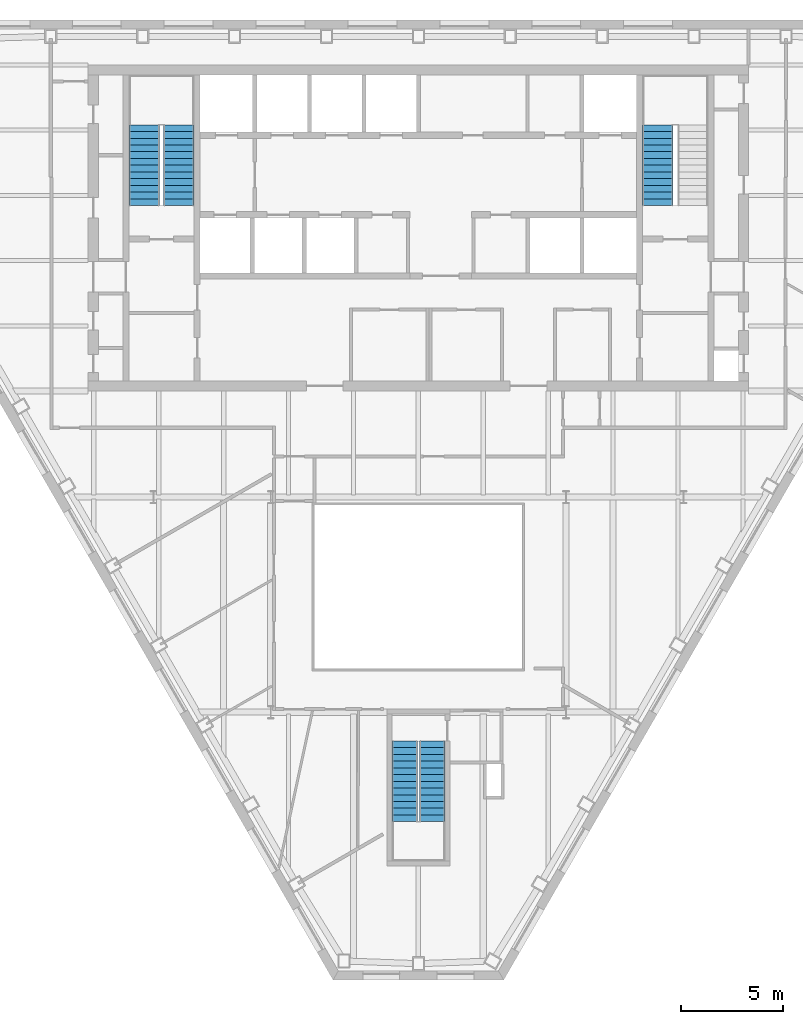
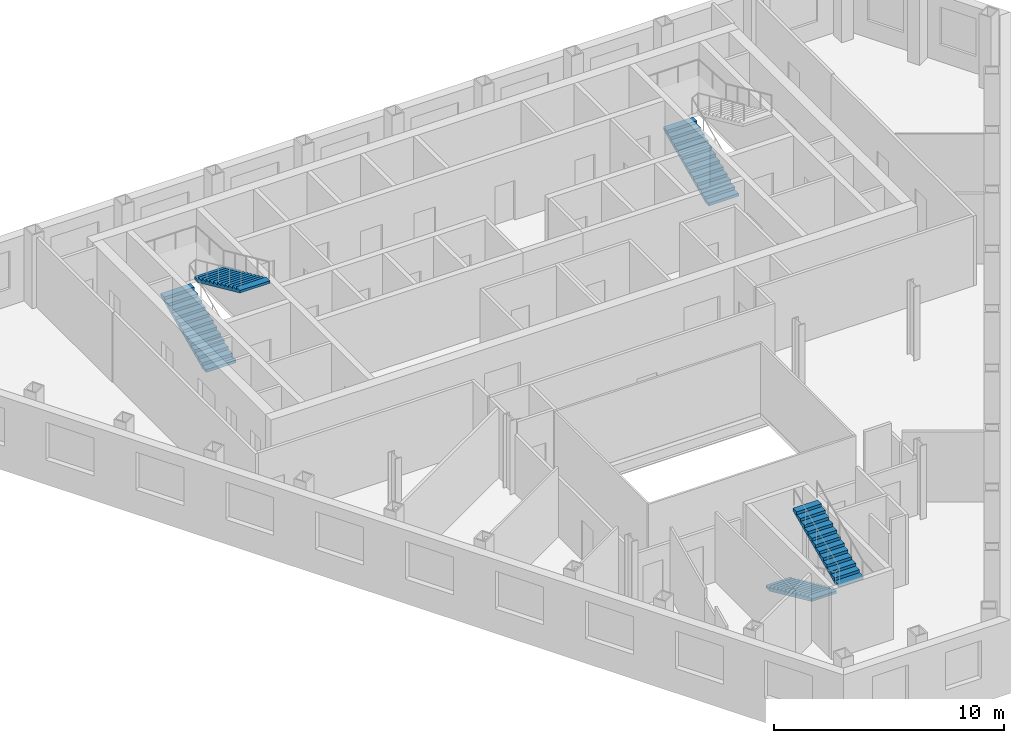
# One storey, part 8 of 10: 5 stair flights, 3 elements without a shape of their own.
"""IFC4 building model written with IfcOpenShell, lengths in metres."""

from ifc_helpers import new_model, si_unit, direction, frame, origin, place, context, subcontext, project, spatial, polygons, material, type_object, element, aggregate, save


model = new_model("IFC4")

# Units and contexts
model_context = context("Model", 3, precision=1e-05, world=origin(), true_north=direction((0.0, 1.0)))
body_context = subcontext(model_context, "Body", "Model", "MODEL_VIEW")
ifc_project = project(units=[si_unit("LENGTHUNIT", "METRE"), si_unit("AREAUNIT", "SQUARE_METRE"), si_unit("VOLUMEUNIT", "CUBIC_METRE"), si_unit("PLANEANGLEUNIT", "RADIAN"), si_unit("MASSUNIT", "GRAM", prefix="KILO")], contexts=[model_context])

# Site, building, storey
site_placement = place(None, origin())
site = spatial("IfcSite", under=ifc_project, at=site_placement, CompositionType="ELEMENT")
building_placement = place(site_placement, origin())
building = spatial("IfcBuilding", under=site, at=building_placement, Name="Njiva Tower", CompositionType="ELEMENT")
storey_placement = place(building_placement, frame((0.0, 0.0, 167.1)))
storey = spatial("IfcBuildingStorey", under=building, at=storey_placement, Name="L36", CompositionType="ELEMENT", Elevation=167.1)

# Stair, stair flights
ifc_material = material(Name="Concrete C40/50", Category="concrete")
stair_type_1 = type_object("IfcStairType", Name="ST1 Exit stair 1250", PredefinedType="HALF_TURN_STAIR", material=ifc_material)
stair_1_placement = place(storey_placement, origin())
stair_1 = element("IfcStair", 1, at=stair_1_placement, inside=storey, type_object=stair_type_1, Name="Stair C", PredefinedType="HALF_TURN_STAIR")
stair_flight_type_1 = type_object("IfcStairFlightType", Name="FL1 Stair flight 1250", PredefinedType="STRAIGHT", material=ifc_material)
stair_flight_1_placement = place(storey_placement, frame((-0.675, -15.16, 0.0), z_axis=(0.0, 0.0, 1.0), x_axis=(0.0, -1.0, 0.0)))
stair_flight_1 = element("IfcStairFlight", 2, at=stair_flight_1_placement, type_object=stair_flight_type_1, Name="ST-C flight 1", NumberOfRisers=13, NumberOfTreads=12, PredefinedType="STRAIGHT", RiserHeight=0.15, TreadLength=0.33, context=body_context, shape_type="Tessellation", body=[
    polygons([(0.0, 0.625, 0.0), (0.0, 0.3125, 0.0), (0.0, 0.0, 0.0), (0.0, -0.3125, 0.0), (0.0, -0.625, 0.0), (0.0, 0.625, 0.15), (0.0, 0.3125, 0.15), (0.0, 0.0, 0.15), (0.0, -0.3125, 0.15), (0.0, -0.625, 0.15), (0.33, 0.625, 0.15), (0.33, 0.3125, 0.15), (0.33, 0.0, 0.15), (0.33, -0.3125, 0.15), (0.33, -0.625, 0.15), (0.33, 0.625, 0.3), (0.33, 0.3125, 0.3), (0.33, 0.0, 0.3), (0.33, -0.3125, 0.3), (0.33, -0.625, 0.3), (0.66, 0.625, 0.3), (0.66, 0.3125, 0.3), (0.66, 0.0, 0.3), (0.66, -0.3125, 0.3), (0.66, -0.625, 0.3), (0.66, 0.625, 0.45), (0.66, 0.3125, 0.45), (0.66, 0.0, 0.45), (0.66, -0.3125, 0.45), (0.66, -0.625, 0.45), (0.99, 0.625, 0.45), (0.99, 0.3125, 0.45), (0.99, 0.0, 0.45), (0.99, -0.3125, 0.45), (0.99, -0.625, 0.45), (0.99, 0.625, 0.6), (0.99, 0.3125, 0.6), (0.99, 0.0, 0.6), (0.99, -0.3125, 0.6), (0.99, -0.625, 0.6), (1.32, 0.625, 0.6), (1.32, 0.3125, 0.6), (1.32, 0.0, 0.6), (1.32, -0.3125, 0.6), (1.32, -0.625, 0.6), (1.32, 0.625, 0.75), (1.32, 0.3125, 0.75), (1.32, 0.0, 0.75), (1.32, -0.3125, 0.75), (1.32, -0.625, 0.75), (1.65, 0.625, 0.75), (1.65, 0.3125, 0.75), (1.65, 0.0, 0.75), (1.65, -0.3125, 0.75), (1.65, -0.625, 0.75), (1.65, 0.625, 0.9), (1.65, 0.3125, 0.9), (1.65, 0.0, 0.9), (1.65, -0.3125, 0.9), (1.65, -0.625, 0.9), (1.98, 0.625, 0.9), (1.98, 0.3125, 0.9), (1.98, 0.0, 0.9), (1.98, -0.3125, 0.9), (1.98, -0.625, 0.9), (1.98, 0.625, 1.05), (1.98, 0.3125, 1.05), (1.98, 0.0, 1.05), (1.98, -0.3125, 1.05), (1.98, -0.625, 1.05), (2.31, 0.625, 1.05), (2.31, 0.3125, 1.05), (2.31, 0.0, 1.05), (2.31, -0.3125, 1.05), (2.31, -0.625, 1.05), (2.31, 0.625, 1.2), (2.31, 0.3125, 1.2), (2.31, 0.0, 1.2), (2.31, -0.3125, 1.2), (2.31, -0.625, 1.2), (2.64, 0.625, 1.2), (2.64, 0.3125, 1.2), (2.64, 0.0, 1.2), (2.64, -0.3125, 1.2), (2.64, -0.625, 1.2), (2.64, 0.625, 1.35), (2.64, 0.3125, 1.35), (2.64, 0.0, 1.35), (2.64, -0.3125, 1.35), (2.64, -0.625, 1.35), (2.97, 0.625, 1.35), (2.97, 0.3125, 1.35), (2.97, 0.0, 1.35), (2.97, -0.3125, 1.35), (2.97, -0.625, 1.35), (2.97, 0.625, 1.5), (2.97, 0.3125, 1.5), (2.97, 0.0, 1.5), (2.97, -0.3125, 1.5), (2.97, -0.625, 1.5), (3.3, 0.625, 1.5), (3.3, 0.3125, 1.5), (3.3, 0.0, 1.5), (3.3, -0.3125, 1.5), (3.3, -0.625, 1.5), (3.3, 0.625, 1.65), (3.3, 0.3125, 1.65), (3.3, 0.0, 1.65), (3.3, -0.3125, 1.65), (3.3, -0.625, 1.65), (3.63, 0.625, 1.65), (3.63, 0.3125, 1.65), (3.63, 0.0, 1.65), (3.63, -0.3125, 1.65), (3.63, -0.625, 1.65), (3.63, 0.625, 1.8), (3.63, 0.3125, 1.8), (3.63, 0.0, 1.8), (3.63, -0.3125, 1.8), (3.63, -0.625, 1.8), (3.96, 0.625, 1.8), (3.96, 0.3125, 1.8), (3.96, 0.0, 1.8), (3.96, -0.3125, 1.8), (3.96, -0.625, 1.8), (3.96, 0.625, 1.6682), (3.96, 0.3125, 1.6682), (3.96, 0.0, 1.6682), (3.96, -0.3125, 1.6682), (3.96, -0.625, 1.6682), (0.29, 0.625, 0.0), (0.29, 0.3125, 0.0), (0.29, 0.0, 0.0), (0.29, -0.3125, 0.0), (0.29, -0.625, 0.0)], [[[1, 6, 11, 16, 21, 26, 31, 36, 41, 46, 51, 56, 61, 66, 71, 76, 81, 86, 91, 96, 101, 106, 111, 116, 121, 126, 131]], [[135, 130, 125, 120, 115, 110, 105, 100, 95, 90, 85, 80, 75, 70, 65, 60, 55, 50, 45, 40, 35, 30, 25, 20, 15, 10, 5]], [[6, 1, 2, 7]], [[7, 2, 3, 8]], [[8, 3, 4, 9]], [[9, 4, 5, 10]], [[11, 6, 7, 12]], [[12, 7, 8, 13]], [[13, 8, 9, 14]], [[14, 9, 10, 15]], [[16, 11, 12, 17]], [[17, 12, 13, 18]], [[18, 13, 14, 19]], [[19, 14, 15, 20]], [[21, 16, 17, 22]], [[22, 17, 18, 23]], [[23, 18, 19, 24]], [[24, 19, 20, 25]], [[26, 21, 22, 27]], [[27, 22, 23, 28]], [[28, 23, 24, 29]], [[29, 24, 25, 30]], [[31, 26, 27, 32]], [[32, 27, 28, 33]], [[33, 28, 29, 34]], [[34, 29, 30, 35]], [[36, 31, 32, 37]], [[37, 32, 33, 38]], [[38, 33, 34, 39]], [[39, 34, 35, 40]], [[41, 36, 37, 42]], [[42, 37, 38, 43]], [[43, 38, 39, 44]], [[44, 39, 40, 45]], [[46, 41, 42, 47]], [[47, 42, 43, 48]], [[48, 43, 44, 49]], [[49, 44, 45, 50]], [[51, 46, 47, 52]], [[52, 47, 48, 53]], [[53, 48, 49, 54]], [[54, 49, 50, 55]], [[56, 51, 52, 57]], [[57, 52, 53, 58]], [[58, 53, 54, 59]], [[59, 54, 55, 60]], [[61, 56, 57, 62]], [[62, 57, 58, 63]], [[63, 58, 59, 64]], [[64, 59, 60, 65]], [[66, 61, 62, 67]], [[67, 62, 63, 68]], [[68, 63, 64, 69]], [[69, 64, 65, 70]], [[71, 66, 67, 72]], [[72, 67, 68, 73]], [[73, 68, 69, 74]], [[74, 69, 70, 75]], [[76, 71, 72, 77]], [[77, 72, 73, 78]], [[78, 73, 74, 79]], [[79, 74, 75, 80]], [[81, 76, 77, 82]], [[82, 77, 78, 83]], [[83, 78, 79, 84]], [[84, 79, 80, 85]], [[86, 81, 82, 87]], [[87, 82, 83, 88]], [[88, 83, 84, 89]], [[89, 84, 85, 90]], [[91, 86, 87, 92]], [[92, 87, 88, 93]], [[93, 88, 89, 94]], [[94, 89, 90, 95]], [[96, 91, 92, 97]], [[97, 92, 93, 98]], [[98, 93, 94, 99]], [[99, 94, 95, 100]], [[101, 96, 97, 102]], [[102, 97, 98, 103]], [[103, 98, 99, 104]], [[104, 99, 100, 105]], [[106, 101, 102, 107]], [[107, 102, 103, 108]], [[108, 103, 104, 109]], [[109, 104, 105, 110]], [[111, 106, 107, 112]], [[112, 107, 108, 113]], [[113, 108, 109, 114]], [[114, 109, 110, 115]], [[116, 111, 112, 117]], [[117, 112, 113, 118]], [[118, 113, 114, 119]], [[119, 114, 115, 120]], [[121, 116, 117, 122]], [[122, 117, 118, 123]], [[123, 118, 119, 124]], [[124, 119, 120, 125]], [[126, 121, 122, 127]], [[127, 122, 123, 128]], [[128, 123, 124, 129]], [[129, 124, 125, 130]], [[131, 126, 127, 132]], [[132, 127, 128, 133]], [[133, 128, 129, 134]], [[134, 129, 130, 135]], [[1, 131, 132, 2]], [[2, 132, 133, 3]], [[3, 133, 134, 4]], [[4, 134, 135, 5]]], closed=True),
])
stair_flight_2_placement = place(storey_placement, frame((0.675, -19.12, 1.95), z_axis=(0.0, 0.0, 1.0), x_axis=(0.0, 1.0, 0.0)))
stair_flight_2 = element("IfcStairFlight", 3, at=stair_flight_2_placement, type_object=stair_flight_type_1, Name="ST-C flight 2", NumberOfRisers=13, NumberOfTreads=12, PredefinedType="STRAIGHT", RiserHeight=0.15, TreadLength=0.33, context=body_context, shape_type="Tessellation", body=[
    polygons([(0.0, 0.625, 0.0), (0.0, 0.3125, 0.0), (0.0, 0.0, 0.0), (0.0, -0.3125, 0.0), (0.0, -0.625, 0.0), (0.0, 0.625, 0.15), (0.0, 0.3125, 0.15), (0.0, 0.0, 0.15), (0.0, -0.3125, 0.15), (0.0, -0.625, 0.15), (0.33, 0.625, 0.15), (0.33, 0.3125, 0.15), (0.33, 0.0, 0.15), (0.33, -0.3125, 0.15), (0.33, -0.625, 0.15), (0.33, 0.625, 0.3), (0.33, 0.3125, 0.3), (0.33, 0.0, 0.3), (0.33, -0.3125, 0.3), (0.33, -0.625, 0.3), (0.66, 0.625, 0.3), (0.66, 0.3125, 0.3), (0.66, 0.0, 0.3), (0.66, -0.3125, 0.3), (0.66, -0.625, 0.3), (0.66, 0.625, 0.45), (0.66, 0.3125, 0.45), (0.66, 0.0, 0.45), (0.66, -0.3125, 0.45), (0.66, -0.625, 0.45), (0.99, 0.625, 0.45), (0.99, 0.3125, 0.45), (0.99, 0.0, 0.45), (0.99, -0.3125, 0.45), (0.99, -0.625, 0.45), (0.99, 0.625, 0.6), (0.99, 0.3125, 0.6), (0.99, 0.0, 0.6), (0.99, -0.3125, 0.6), (0.99, -0.625, 0.6), (1.32, 0.625, 0.6), (1.32, 0.3125, 0.6), (1.32, 0.0, 0.6), (1.32, -0.3125, 0.6), (1.32, -0.625, 0.6), (1.32, 0.625, 0.75), (1.32, 0.3125, 0.75), (1.32, 0.0, 0.75), (1.32, -0.3125, 0.75), (1.32, -0.625, 0.75), (1.65, 0.625, 0.75), (1.65, 0.3125, 0.75), (1.65, 0.0, 0.75), (1.65, -0.3125, 0.75), (1.65, -0.625, 0.75), (1.65, 0.625, 0.9), (1.65, 0.3125, 0.9), (1.65, 0.0, 0.9), (1.65, -0.3125, 0.9), (1.65, -0.625, 0.9), (1.98, 0.625, 0.9), (1.98, 0.3125, 0.9), (1.98, 0.0, 0.9), (1.98, -0.3125, 0.9), (1.98, -0.625, 0.9), (1.98, 0.625, 1.05), (1.98, 0.3125, 1.05), (1.98, 0.0, 1.05), (1.98, -0.3125, 1.05), (1.98, -0.625, 1.05), (2.31, 0.625, 1.05), (2.31, 0.3125, 1.05), (2.31, 0.0, 1.05), (2.31, -0.3125, 1.05), (2.31, -0.625, 1.05), (2.31, 0.625, 1.2), (2.31, 0.3125, 1.2), (2.31, 0.0, 1.2), (2.31, -0.3125, 1.2), (2.31, -0.625, 1.2), (2.64, 0.625, 1.2), (2.64, 0.3125, 1.2), (2.64, 0.0, 1.2), (2.64, -0.3125, 1.2), (2.64, -0.625, 1.2), (2.64, 0.625, 1.35), (2.64, 0.3125, 1.35), (2.64, 0.0, 1.35), (2.64, -0.3125, 1.35), (2.64, -0.625, 1.35), (2.97, 0.625, 1.35), (2.97, 0.3125, 1.35), (2.97, 0.0, 1.35), (2.97, -0.3125, 1.35), (2.97, -0.625, 1.35), (2.97, 0.625, 1.5), (2.97, 0.3125, 1.5), (2.97, 0.0, 1.5), (2.97, -0.3125, 1.5), (2.97, -0.625, 1.5), (3.3, 0.625, 1.5), (3.3, 0.3125, 1.5), (3.3, 0.0, 1.5), (3.3, -0.3125, 1.5), (3.3, -0.625, 1.5), (3.3, 0.625, 1.65), (3.3, 0.3125, 1.65), (3.3, 0.0, 1.65), (3.3, -0.3125, 1.65), (3.3, -0.625, 1.65), (3.63, 0.625, 1.65), (3.63, 0.3125, 1.65), (3.63, 0.0, 1.65), (3.63, -0.3125, 1.65), (3.63, -0.625, 1.65), (3.63, 0.625, 1.8), (3.63, 0.3125, 1.8), (3.63, 0.0, 1.8), (3.63, -0.3125, 1.8), (3.63, -0.625, 1.8), (3.96, 0.625, 1.8), (3.96, 0.3125, 1.8), (3.96, 0.0, 1.8), (3.96, -0.3125, 1.8), (3.96, -0.625, 1.8), (3.96, 0.625, 1.6682), (3.96, 0.3125, 1.6682), (3.96, 0.0, 1.6682), (3.96, -0.3125, 1.6682), (3.96, -0.625, 1.6682), (0.29, 0.625, 0.0), (0.29, 0.3125, 0.0), (0.29, 0.0, 0.0), (0.29, -0.3125, 0.0), (0.29, -0.625, 0.0)], [[[1, 6, 11, 16, 21, 26, 31, 36, 41, 46, 51, 56, 61, 66, 71, 76, 81, 86, 91, 96, 101, 106, 111, 116, 121, 126, 131]], [[135, 130, 125, 120, 115, 110, 105, 100, 95, 90, 85, 80, 75, 70, 65, 60, 55, 50, 45, 40, 35, 30, 25, 20, 15, 10, 5]], [[6, 1, 2, 7]], [[7, 2, 3, 8]], [[8, 3, 4, 9]], [[9, 4, 5, 10]], [[11, 6, 7, 12]], [[12, 7, 8, 13]], [[13, 8, 9, 14]], [[14, 9, 10, 15]], [[16, 11, 12, 17]], [[17, 12, 13, 18]], [[18, 13, 14, 19]], [[19, 14, 15, 20]], [[21, 16, 17, 22]], [[22, 17, 18, 23]], [[23, 18, 19, 24]], [[24, 19, 20, 25]], [[26, 21, 22, 27]], [[27, 22, 23, 28]], [[28, 23, 24, 29]], [[29, 24, 25, 30]], [[31, 26, 27, 32]], [[32, 27, 28, 33]], [[33, 28, 29, 34]], [[34, 29, 30, 35]], [[36, 31, 32, 37]], [[37, 32, 33, 38]], [[38, 33, 34, 39]], [[39, 34, 35, 40]], [[41, 36, 37, 42]], [[42, 37, 38, 43]], [[43, 38, 39, 44]], [[44, 39, 40, 45]], [[46, 41, 42, 47]], [[47, 42, 43, 48]], [[48, 43, 44, 49]], [[49, 44, 45, 50]], [[51, 46, 47, 52]], [[52, 47, 48, 53]], [[53, 48, 49, 54]], [[54, 49, 50, 55]], [[56, 51, 52, 57]], [[57, 52, 53, 58]], [[58, 53, 54, 59]], [[59, 54, 55, 60]], [[61, 56, 57, 62]], [[62, 57, 58, 63]], [[63, 58, 59, 64]], [[64, 59, 60, 65]], [[66, 61, 62, 67]], [[67, 62, 63, 68]], [[68, 63, 64, 69]], [[69, 64, 65, 70]], [[71, 66, 67, 72]], [[72, 67, 68, 73]], [[73, 68, 69, 74]], [[74, 69, 70, 75]], [[76, 71, 72, 77]], [[77, 72, 73, 78]], [[78, 73, 74, 79]], [[79, 74, 75, 80]], [[81, 76, 77, 82]], [[82, 77, 78, 83]], [[83, 78, 79, 84]], [[84, 79, 80, 85]], [[86, 81, 82, 87]], [[87, 82, 83, 88]], [[88, 83, 84, 89]], [[89, 84, 85, 90]], [[91, 86, 87, 92]], [[92, 87, 88, 93]], [[93, 88, 89, 94]], [[94, 89, 90, 95]], [[96, 91, 92, 97]], [[97, 92, 93, 98]], [[98, 93, 94, 99]], [[99, 94, 95, 100]], [[101, 96, 97, 102]], [[102, 97, 98, 103]], [[103, 98, 99, 104]], [[104, 99, 100, 105]], [[106, 101, 102, 107]], [[107, 102, 103, 108]], [[108, 103, 104, 109]], [[109, 104, 105, 110]], [[111, 106, 107, 112]], [[112, 107, 108, 113]], [[113, 108, 109, 114]], [[114, 109, 110, 115]], [[116, 111, 112, 117]], [[117, 112, 113, 118]], [[118, 113, 114, 119]], [[119, 114, 115, 120]], [[121, 116, 117, 122]], [[122, 117, 118, 123]], [[123, 118, 119, 124]], [[124, 119, 120, 125]], [[126, 121, 122, 127]], [[127, 122, 123, 128]], [[128, 123, 124, 129]], [[129, 124, 125, 130]], [[131, 126, 127, 132]], [[132, 127, 128, 133]], [[133, 128, 129, 134]], [[134, 129, 130, 135]], [[1, 131, 132, 2]], [[2, 132, 133, 3]], [[3, 133, 134, 4]], [[4, 134, 135, 5]]], closed=True),
])
aggregate(stair_1, [stair_flight_1, stair_flight_2])

stair_type_2 = type_object("IfcStairType", Name="ST4 Exit stair 1500", PredefinedType="HALF_TURN_STAIR", material=ifc_material)
stair_2_placement = place(storey_placement, origin())
stair_2 = element("IfcStair", 4, at=stair_2_placement, inside=storey, type_object=stair_type_2, Name="Stair A", PredefinedType="HALF_TURN_STAIR")
stair_flight_type_2 = type_object("IfcStairFlightType", Name="FL4 Stair flight 1500", PredefinedType="STRAIGHT", material=ifc_material)
stair_flight_3_placement = place(storey_placement, frame((-13.45, 11.1, 0.0), z_axis=(0.0, 0.0, 1.0), x_axis=(0.0, 1.0, 0.0)))
stair_flight_3 = element("IfcStairFlight", 5, at=stair_flight_3_placement, type_object=stair_flight_type_2, Name="ST-A flight 1", NumberOfRisers=13, NumberOfTreads=12, PredefinedType="STRAIGHT", RiserHeight=0.15, TreadLength=0.33, context=body_context, shape_type="Tessellation", body=[
    polygons([(0.0, 0.75, 0.0), (0.0, 0.375, 0.0), (0.0, 0.0, 0.0), (0.0, -0.375, 0.0), (0.0, -0.75, 0.0), (0.0, 0.75, 0.15), (0.0, 0.375, 0.15), (0.0, 0.0, 0.15), (0.0, -0.375, 0.15), (0.0, -0.75, 0.15), (0.33, 0.75, 0.15), (0.33, 0.375, 0.15), (0.33, 0.0, 0.15), (0.33, -0.375, 0.15), (0.33, -0.75, 0.15), (0.33, 0.75, 0.3), (0.33, 0.375, 0.3), (0.33, 0.0, 0.3), (0.33, -0.375, 0.3), (0.33, -0.75, 0.3), (0.66, 0.75, 0.3), (0.66, 0.375, 0.3), (0.66, 0.0, 0.3), (0.66, -0.375, 0.3), (0.66, -0.75, 0.3), (0.66, 0.75, 0.45), (0.66, 0.375, 0.45), (0.66, 0.0, 0.45), (0.66, -0.375, 0.45), (0.66, -0.75, 0.45), (0.99, 0.75, 0.45), (0.99, 0.375, 0.45), (0.99, 0.0, 0.45), (0.99, -0.375, 0.45), (0.99, -0.75, 0.45), (0.99, 0.75, 0.6), (0.99, 0.375, 0.6), (0.99, 0.0, 0.6), (0.99, -0.375, 0.6), (0.99, -0.75, 0.6), (1.32, 0.75, 0.6), (1.32, 0.375, 0.6), (1.32, 0.0, 0.6), (1.32, -0.375, 0.6), (1.32, -0.75, 0.6), (1.32, 0.75, 0.75), (1.32, 0.375, 0.75), (1.32, 0.0, 0.75), (1.32, -0.375, 0.75), (1.32, -0.75, 0.75), (1.65, 0.75, 0.75), (1.65, 0.375, 0.75), (1.65, 0.0, 0.75), (1.65, -0.375, 0.75), (1.65, -0.75, 0.75), (1.65, 0.75, 0.9), (1.65, 0.375, 0.9), (1.65, 0.0, 0.9), (1.65, -0.375, 0.9), (1.65, -0.75, 0.9), (1.98, 0.75, 0.9), (1.98, 0.375, 0.9), (1.98, 0.0, 0.9), (1.98, -0.375, 0.9), (1.98, -0.75, 0.9), (1.98, 0.75, 1.05), (1.98, 0.375, 1.05), (1.98, 0.0, 1.05), (1.98, -0.375, 1.05), (1.98, -0.75, 1.05), (2.31, 0.75, 1.05), (2.31, 0.375, 1.05), (2.31, 0.0, 1.05), (2.31, -0.375, 1.05), (2.31, -0.75, 1.05), (2.31, 0.75, 1.2), (2.31, 0.375, 1.2), (2.31, 0.0, 1.2), (2.31, -0.375, 1.2), (2.31, -0.75, 1.2), (2.64, 0.75, 1.2), (2.64, 0.375, 1.2), (2.64, 0.0, 1.2), (2.64, -0.375, 1.2), (2.64, -0.75, 1.2), (2.64, 0.75, 1.35), (2.64, 0.375, 1.35), (2.64, 0.0, 1.35), (2.64, -0.375, 1.35), (2.64, -0.75, 1.35), (2.97, 0.75, 1.35), (2.97, 0.375, 1.35), (2.97, 0.0, 1.35), (2.97, -0.375, 1.35), (2.97, -0.75, 1.35), (2.97, 0.75, 1.5), (2.97, 0.375, 1.5), (2.97, 0.0, 1.5), (2.97, -0.375, 1.5), (2.97, -0.75, 1.5), (3.3, 0.75, 1.5), (3.3, 0.375, 1.5), (3.3, 0.0, 1.5), (3.3, -0.375, 1.5), (3.3, -0.75, 1.5), (3.3, 0.75, 1.65), (3.3, 0.375, 1.65), (3.3, 0.0, 1.65), (3.3, -0.375, 1.65), (3.3, -0.75, 1.65), (3.63, 0.75, 1.65), (3.63, 0.375, 1.65), (3.63, 0.0, 1.65), (3.63, -0.375, 1.65), (3.63, -0.75, 1.65), (3.63, 0.75, 1.8), (3.63, 0.375, 1.8), (3.63, 0.0, 1.8), (3.63, -0.375, 1.8), (3.63, -0.75, 1.8), (3.96, 0.75, 1.8), (3.96, 0.375, 1.8), (3.96, 0.0, 1.8), (3.96, -0.375, 1.8), (3.96, -0.75, 1.8), (3.96, 0.75, 1.6682), (3.96, 0.375, 1.6682), (3.96, 0.0, 1.6682), (3.96, -0.375, 1.6682), (3.96, -0.75, 1.6682), (0.29, 0.75, 0.0), (0.29, 0.375, 0.0), (0.29, 0.0, 0.0), (0.29, -0.375, 0.0), (0.29, -0.75, 0.0)], [[[1, 6, 11, 16, 21, 26, 31, 36, 41, 46, 51, 56, 61, 66, 71, 76, 81, 86, 91, 96, 101, 106, 111, 116, 121, 126, 131]], [[135, 130, 125, 120, 115, 110, 105, 100, 95, 90, 85, 80, 75, 70, 65, 60, 55, 50, 45, 40, 35, 30, 25, 20, 15, 10, 5]], [[6, 1, 2, 7]], [[7, 2, 3, 8]], [[8, 3, 4, 9]], [[9, 4, 5, 10]], [[11, 6, 7, 12]], [[12, 7, 8, 13]], [[13, 8, 9, 14]], [[14, 9, 10, 15]], [[16, 11, 12, 17]], [[17, 12, 13, 18]], [[18, 13, 14, 19]], [[19, 14, 15, 20]], [[21, 16, 17, 22]], [[22, 17, 18, 23]], [[23, 18, 19, 24]], [[24, 19, 20, 25]], [[26, 21, 22, 27]], [[27, 22, 23, 28]], [[28, 23, 24, 29]], [[29, 24, 25, 30]], [[31, 26, 27, 32]], [[32, 27, 28, 33]], [[33, 28, 29, 34]], [[34, 29, 30, 35]], [[36, 31, 32, 37]], [[37, 32, 33, 38]], [[38, 33, 34, 39]], [[39, 34, 35, 40]], [[41, 36, 37, 42]], [[42, 37, 38, 43]], [[43, 38, 39, 44]], [[44, 39, 40, 45]], [[46, 41, 42, 47]], [[47, 42, 43, 48]], [[48, 43, 44, 49]], [[49, 44, 45, 50]], [[51, 46, 47, 52]], [[52, 47, 48, 53]], [[53, 48, 49, 54]], [[54, 49, 50, 55]], [[56, 51, 52, 57]], [[57, 52, 53, 58]], [[58, 53, 54, 59]], [[59, 54, 55, 60]], [[61, 56, 57, 62]], [[62, 57, 58, 63]], [[63, 58, 59, 64]], [[64, 59, 60, 65]], [[66, 61, 62, 67]], [[67, 62, 63, 68]], [[68, 63, 64, 69]], [[69, 64, 65, 70]], [[71, 66, 67, 72]], [[72, 67, 68, 73]], [[73, 68, 69, 74]], [[74, 69, 70, 75]], [[76, 71, 72, 77]], [[77, 72, 73, 78]], [[78, 73, 74, 79]], [[79, 74, 75, 80]], [[81, 76, 77, 82]], [[82, 77, 78, 83]], [[83, 78, 79, 84]], [[84, 79, 80, 85]], [[86, 81, 82, 87]], [[87, 82, 83, 88]], [[88, 83, 84, 89]], [[89, 84, 85, 90]], [[91, 86, 87, 92]], [[92, 87, 88, 93]], [[93, 88, 89, 94]], [[94, 89, 90, 95]], [[96, 91, 92, 97]], [[97, 92, 93, 98]], [[98, 93, 94, 99]], [[99, 94, 95, 100]], [[101, 96, 97, 102]], [[102, 97, 98, 103]], [[103, 98, 99, 104]], [[104, 99, 100, 105]], [[106, 101, 102, 107]], [[107, 102, 103, 108]], [[108, 103, 104, 109]], [[109, 104, 105, 110]], [[111, 106, 107, 112]], [[112, 107, 108, 113]], [[113, 108, 109, 114]], [[114, 109, 110, 115]], [[116, 111, 112, 117]], [[117, 112, 113, 118]], [[118, 113, 114, 119]], [[119, 114, 115, 120]], [[121, 116, 117, 122]], [[122, 117, 118, 123]], [[123, 118, 119, 124]], [[124, 119, 120, 125]], [[126, 121, 122, 127]], [[127, 122, 123, 128]], [[128, 123, 124, 129]], [[129, 124, 125, 130]], [[131, 126, 127, 132]], [[132, 127, 128, 133]], [[133, 128, 129, 134]], [[134, 129, 130, 135]], [[1, 131, 132, 2]], [[2, 132, 133, 3]], [[3, 133, 134, 4]], [[4, 134, 135, 5]]], closed=True),
])
stair_flight_4_placement = place(storey_placement, frame((-11.75, 15.06, 1.95), z_axis=(0.0, 0.0, 1.0), x_axis=(0.0, -1.0, 0.0)))
stair_flight_4 = element("IfcStairFlight", 6, at=stair_flight_4_placement, type_object=stair_flight_type_2, Name="ST-A flight 2", NumberOfRisers=13, NumberOfTreads=12, PredefinedType="STRAIGHT", RiserHeight=0.15, TreadLength=0.33, context=body_context, shape_type="Tessellation", body=[
    polygons([(0.0, 0.75, 0.0), (0.0, 0.375, 0.0), (0.0, 0.0, 0.0), (0.0, -0.375, 0.0), (0.0, -0.75, 0.0), (0.0, 0.75, 0.15), (0.0, 0.375, 0.15), (0.0, 0.0, 0.15), (0.0, -0.375, 0.15), (0.0, -0.75, 0.15), (0.33, 0.75, 0.15), (0.33, 0.375, 0.15), (0.33, 0.0, 0.15), (0.33, -0.375, 0.15), (0.33, -0.75, 0.15), (0.33, 0.75, 0.3), (0.33, 0.375, 0.3), (0.33, 0.0, 0.3), (0.33, -0.375, 0.3), (0.33, -0.75, 0.3), (0.66, 0.75, 0.3), (0.66, 0.375, 0.3), (0.66, 0.0, 0.3), (0.66, -0.375, 0.3), (0.66, -0.75, 0.3), (0.66, 0.75, 0.45), (0.66, 0.375, 0.45), (0.66, 0.0, 0.45), (0.66, -0.375, 0.45), (0.66, -0.75, 0.45), (0.99, 0.75, 0.45), (0.99, 0.375, 0.45), (0.99, 0.0, 0.45), (0.99, -0.375, 0.45), (0.99, -0.75, 0.45), (0.99, 0.75, 0.6), (0.99, 0.375, 0.6), (0.99, 0.0, 0.6), (0.99, -0.375, 0.6), (0.99, -0.75, 0.6), (1.32, 0.75, 0.6), (1.32, 0.375, 0.6), (1.32, 0.0, 0.6), (1.32, -0.375, 0.6), (1.32, -0.75, 0.6), (1.32, 0.75, 0.75), (1.32, 0.375, 0.75), (1.32, 0.0, 0.75), (1.32, -0.375, 0.75), (1.32, -0.75, 0.75), (1.65, 0.75, 0.75), (1.65, 0.375, 0.75), (1.65, 0.0, 0.75), (1.65, -0.375, 0.75), (1.65, -0.75, 0.75), (1.65, 0.75, 0.9), (1.65, 0.375, 0.9), (1.65, 0.0, 0.9), (1.65, -0.375, 0.9), (1.65, -0.75, 0.9), (1.98, 0.75, 0.9), (1.98, 0.375, 0.9), (1.98, 0.0, 0.9), (1.98, -0.375, 0.9), (1.98, -0.75, 0.9), (1.98, 0.75, 1.05), (1.98, 0.375, 1.05), (1.98, 0.0, 1.05), (1.98, -0.375, 1.05), (1.98, -0.75, 1.05), (2.31, 0.75, 1.05), (2.31, 0.375, 1.05), (2.31, 0.0, 1.05), (2.31, -0.375, 1.05), (2.31, -0.75, 1.05), (2.31, 0.75, 1.2), (2.31, 0.375, 1.2), (2.31, 0.0, 1.2), (2.31, -0.375, 1.2), (2.31, -0.75, 1.2), (2.64, 0.75, 1.2), (2.64, 0.375, 1.2), (2.64, 0.0, 1.2), (2.64, -0.375, 1.2), (2.64, -0.75, 1.2), (2.64, 0.75, 1.35), (2.64, 0.375, 1.35), (2.64, 0.0, 1.35), (2.64, -0.375, 1.35), (2.64, -0.75, 1.35), (2.97, 0.75, 1.35), (2.97, 0.375, 1.35), (2.97, 0.0, 1.35), (2.97, -0.375, 1.35), (2.97, -0.75, 1.35), (2.97, 0.75, 1.5), (2.97, 0.375, 1.5), (2.97, 0.0, 1.5), (2.97, -0.375, 1.5), (2.97, -0.75, 1.5), (3.3, 0.75, 1.5), (3.3, 0.375, 1.5), (3.3, 0.0, 1.5), (3.3, -0.375, 1.5), (3.3, -0.75, 1.5), (3.3, 0.75, 1.65), (3.3, 0.375, 1.65), (3.3, 0.0, 1.65), (3.3, -0.375, 1.65), (3.3, -0.75, 1.65), (3.63, 0.75, 1.65), (3.63, 0.375, 1.65), (3.63, 0.0, 1.65), (3.63, -0.375, 1.65), (3.63, -0.75, 1.65), (3.63, 0.75, 1.8), (3.63, 0.375, 1.8), (3.63, 0.0, 1.8), (3.63, -0.375, 1.8), (3.63, -0.75, 1.8), (3.96, 0.75, 1.8), (3.96, 0.375, 1.8), (3.96, 0.0, 1.8), (3.96, -0.375, 1.8), (3.96, -0.75, 1.8), (3.96, 0.75, 1.6682), (3.96, 0.375, 1.6682), (3.96, 0.0, 1.6682), (3.96, -0.375, 1.6682), (3.96, -0.75, 1.6682), (0.29, 0.75, 0.0), (0.29, 0.375, 0.0), (0.29, 0.0, 0.0), (0.29, -0.375, 0.0), (0.29, -0.75, 0.0)], [[[1, 6, 11, 16, 21, 26, 31, 36, 41, 46, 51, 56, 61, 66, 71, 76, 81, 86, 91, 96, 101, 106, 111, 116, 121, 126, 131]], [[135, 130, 125, 120, 115, 110, 105, 100, 95, 90, 85, 80, 75, 70, 65, 60, 55, 50, 45, 40, 35, 30, 25, 20, 15, 10, 5]], [[6, 1, 2, 7]], [[7, 2, 3, 8]], [[8, 3, 4, 9]], [[9, 4, 5, 10]], [[11, 6, 7, 12]], [[12, 7, 8, 13]], [[13, 8, 9, 14]], [[14, 9, 10, 15]], [[16, 11, 12, 17]], [[17, 12, 13, 18]], [[18, 13, 14, 19]], [[19, 14, 15, 20]], [[21, 16, 17, 22]], [[22, 17, 18, 23]], [[23, 18, 19, 24]], [[24, 19, 20, 25]], [[26, 21, 22, 27]], [[27, 22, 23, 28]], [[28, 23, 24, 29]], [[29, 24, 25, 30]], [[31, 26, 27, 32]], [[32, 27, 28, 33]], [[33, 28, 29, 34]], [[34, 29, 30, 35]], [[36, 31, 32, 37]], [[37, 32, 33, 38]], [[38, 33, 34, 39]], [[39, 34, 35, 40]], [[41, 36, 37, 42]], [[42, 37, 38, 43]], [[43, 38, 39, 44]], [[44, 39, 40, 45]], [[46, 41, 42, 47]], [[47, 42, 43, 48]], [[48, 43, 44, 49]], [[49, 44, 45, 50]], [[51, 46, 47, 52]], [[52, 47, 48, 53]], [[53, 48, 49, 54]], [[54, 49, 50, 55]], [[56, 51, 52, 57]], [[57, 52, 53, 58]], [[58, 53, 54, 59]], [[59, 54, 55, 60]], [[61, 56, 57, 62]], [[62, 57, 58, 63]], [[63, 58, 59, 64]], [[64, 59, 60, 65]], [[66, 61, 62, 67]], [[67, 62, 63, 68]], [[68, 63, 64, 69]], [[69, 64, 65, 70]], [[71, 66, 67, 72]], [[72, 67, 68, 73]], [[73, 68, 69, 74]], [[74, 69, 70, 75]], [[76, 71, 72, 77]], [[77, 72, 73, 78]], [[78, 73, 74, 79]], [[79, 74, 75, 80]], [[81, 76, 77, 82]], [[82, 77, 78, 83]], [[83, 78, 79, 84]], [[84, 79, 80, 85]], [[86, 81, 82, 87]], [[87, 82, 83, 88]], [[88, 83, 84, 89]], [[89, 84, 85, 90]], [[91, 86, 87, 92]], [[92, 87, 88, 93]], [[93, 88, 89, 94]], [[94, 89, 90, 95]], [[96, 91, 92, 97]], [[97, 92, 93, 98]], [[98, 93, 94, 99]], [[99, 94, 95, 100]], [[101, 96, 97, 102]], [[102, 97, 98, 103]], [[103, 98, 99, 104]], [[104, 99, 100, 105]], [[106, 101, 102, 107]], [[107, 102, 103, 108]], [[108, 103, 104, 109]], [[109, 104, 105, 110]], [[111, 106, 107, 112]], [[112, 107, 108, 113]], [[113, 108, 109, 114]], [[114, 109, 110, 115]], [[116, 111, 112, 117]], [[117, 112, 113, 118]], [[118, 113, 114, 119]], [[119, 114, 115, 120]], [[121, 116, 117, 122]], [[122, 117, 118, 123]], [[123, 118, 119, 124]], [[124, 119, 120, 125]], [[126, 121, 122, 127]], [[127, 122, 123, 128]], [[128, 123, 124, 129]], [[129, 124, 125, 130]], [[131, 126, 127, 132]], [[132, 127, 128, 133]], [[133, 128, 129, 134]], [[134, 129, 130, 135]], [[1, 131, 132, 2]], [[2, 132, 133, 3]], [[3, 133, 134, 4]], [[4, 134, 135, 5]]], closed=True),
])
aggregate(stair_2, [stair_flight_3, stair_flight_4])

# Stair, stair flight
stair_3_placement = place(storey_placement, origin())
stair_3 = element("IfcStair", 7, at=stair_3_placement, inside=storey, type_object=stair_type_2, Name="Stair B", PredefinedType="HALF_TURN_STAIR")
stair_flight_5_placement = place(storey_placement, frame((11.75, 11.1, 0.0), z_axis=(0.0, 0.0, 1.0), x_axis=(0.0, 1.0, 0.0)))
stair_flight_5 = element("IfcStairFlight", 8, at=stair_flight_5_placement, type_object=stair_flight_type_2, Name="ST-B flight 1", NumberOfRisers=13, NumberOfTreads=12, PredefinedType="STRAIGHT", RiserHeight=0.15, TreadLength=0.33, context=body_context, shape_type="Tessellation", body=[
    polygons([(0.0, 0.75, 0.0), (0.0, 0.375, 0.0), (0.0, 0.0, 0.0), (0.0, -0.375, 0.0), (0.0, -0.75, 0.0), (0.0, 0.75, 0.15), (0.0, 0.375, 0.15), (0.0, 0.0, 0.15), (0.0, -0.375, 0.15), (0.0, -0.75, 0.15), (0.33, 0.75, 0.15), (0.33, 0.375, 0.15), (0.33, 0.0, 0.15), (0.33, -0.375, 0.15), (0.33, -0.75, 0.15), (0.33, 0.75, 0.3), (0.33, 0.375, 0.3), (0.33, 0.0, 0.3), (0.33, -0.375, 0.3), (0.33, -0.75, 0.3), (0.66, 0.75, 0.3), (0.66, 0.375, 0.3), (0.66, 0.0, 0.3), (0.66, -0.375, 0.3), (0.66, -0.75, 0.3), (0.66, 0.75, 0.45), (0.66, 0.375, 0.45), (0.66, 0.0, 0.45), (0.66, -0.375, 0.45), (0.66, -0.75, 0.45), (0.99, 0.75, 0.45), (0.99, 0.375, 0.45), (0.99, 0.0, 0.45), (0.99, -0.375, 0.45), (0.99, -0.75, 0.45), (0.99, 0.75, 0.6), (0.99, 0.375, 0.6), (0.99, 0.0, 0.6), (0.99, -0.375, 0.6), (0.99, -0.75, 0.6), (1.32, 0.75, 0.6), (1.32, 0.375, 0.6), (1.32, 0.0, 0.6), (1.32, -0.375, 0.6), (1.32, -0.75, 0.6), (1.32, 0.75, 0.75), (1.32, 0.375, 0.75), (1.32, 0.0, 0.75), (1.32, -0.375, 0.75), (1.32, -0.75, 0.75), (1.65, 0.75, 0.75), (1.65, 0.375, 0.75), (1.65, 0.0, 0.75), (1.65, -0.375, 0.75), (1.65, -0.75, 0.75), (1.65, 0.75, 0.9), (1.65, 0.375, 0.9), (1.65, 0.0, 0.9), (1.65, -0.375, 0.9), (1.65, -0.75, 0.9), (1.98, 0.75, 0.9), (1.98, 0.375, 0.9), (1.98, 0.0, 0.9), (1.98, -0.375, 0.9), (1.98, -0.75, 0.9), (1.98, 0.75, 1.05), (1.98, 0.375, 1.05), (1.98, 0.0, 1.05), (1.98, -0.375, 1.05), (1.98, -0.75, 1.05), (2.31, 0.75, 1.05), (2.31, 0.375, 1.05), (2.31, 0.0, 1.05), (2.31, -0.375, 1.05), (2.31, -0.75, 1.05), (2.31, 0.75, 1.2), (2.31, 0.375, 1.2), (2.31, 0.0, 1.2), (2.31, -0.375, 1.2), (2.31, -0.75, 1.2), (2.64, 0.75, 1.2), (2.64, 0.375, 1.2), (2.64, 0.0, 1.2), (2.64, -0.375, 1.2), (2.64, -0.75, 1.2), (2.64, 0.75, 1.35), (2.64, 0.375, 1.35), (2.64, 0.0, 1.35), (2.64, -0.375, 1.35), (2.64, -0.75, 1.35), (2.97, 0.75, 1.35), (2.97, 0.375, 1.35), (2.97, 0.0, 1.35), (2.97, -0.375, 1.35), (2.97, -0.75, 1.35), (2.97, 0.75, 1.5), (2.97, 0.375, 1.5), (2.97, 0.0, 1.5), (2.97, -0.375, 1.5), (2.97, -0.75, 1.5), (3.3, 0.75, 1.5), (3.3, 0.375, 1.5), (3.3, 0.0, 1.5), (3.3, -0.375, 1.5), (3.3, -0.75, 1.5), (3.3, 0.75, 1.65), (3.3, 0.375, 1.65), (3.3, 0.0, 1.65), (3.3, -0.375, 1.65), (3.3, -0.75, 1.65), (3.63, 0.75, 1.65), (3.63, 0.375, 1.65), (3.63, 0.0, 1.65), (3.63, -0.375, 1.65), (3.63, -0.75, 1.65), (3.63, 0.75, 1.8), (3.63, 0.375, 1.8), (3.63, 0.0, 1.8), (3.63, -0.375, 1.8), (3.63, -0.75, 1.8), (3.96, 0.75, 1.8), (3.96, 0.375, 1.8), (3.96, 0.0, 1.8), (3.96, -0.375, 1.8), (3.96, -0.75, 1.8), (3.96, 0.75, 1.6682), (3.96, 0.375, 1.6682), (3.96, 0.0, 1.6682), (3.96, -0.375, 1.6682), (3.96, -0.75, 1.6682), (0.29, 0.75, 0.0), (0.29, 0.375, 0.0), (0.29, 0.0, 0.0), (0.29, -0.375, 0.0), (0.29, -0.75, 0.0)], [[[1, 6, 11, 16, 21, 26, 31, 36, 41, 46, 51, 56, 61, 66, 71, 76, 81, 86, 91, 96, 101, 106, 111, 116, 121, 126, 131]], [[135, 130, 125, 120, 115, 110, 105, 100, 95, 90, 85, 80, 75, 70, 65, 60, 55, 50, 45, 40, 35, 30, 25, 20, 15, 10, 5]], [[6, 1, 2, 7]], [[7, 2, 3, 8]], [[8, 3, 4, 9]], [[9, 4, 5, 10]], [[11, 6, 7, 12]], [[12, 7, 8, 13]], [[13, 8, 9, 14]], [[14, 9, 10, 15]], [[16, 11, 12, 17]], [[17, 12, 13, 18]], [[18, 13, 14, 19]], [[19, 14, 15, 20]], [[21, 16, 17, 22]], [[22, 17, 18, 23]], [[23, 18, 19, 24]], [[24, 19, 20, 25]], [[26, 21, 22, 27]], [[27, 22, 23, 28]], [[28, 23, 24, 29]], [[29, 24, 25, 30]], [[31, 26, 27, 32]], [[32, 27, 28, 33]], [[33, 28, 29, 34]], [[34, 29, 30, 35]], [[36, 31, 32, 37]], [[37, 32, 33, 38]], [[38, 33, 34, 39]], [[39, 34, 35, 40]], [[41, 36, 37, 42]], [[42, 37, 38, 43]], [[43, 38, 39, 44]], [[44, 39, 40, 45]], [[46, 41, 42, 47]], [[47, 42, 43, 48]], [[48, 43, 44, 49]], [[49, 44, 45, 50]], [[51, 46, 47, 52]], [[52, 47, 48, 53]], [[53, 48, 49, 54]], [[54, 49, 50, 55]], [[56, 51, 52, 57]], [[57, 52, 53, 58]], [[58, 53, 54, 59]], [[59, 54, 55, 60]], [[61, 56, 57, 62]], [[62, 57, 58, 63]], [[63, 58, 59, 64]], [[64, 59, 60, 65]], [[66, 61, 62, 67]], [[67, 62, 63, 68]], [[68, 63, 64, 69]], [[69, 64, 65, 70]], [[71, 66, 67, 72]], [[72, 67, 68, 73]], [[73, 68, 69, 74]], [[74, 69, 70, 75]], [[76, 71, 72, 77]], [[77, 72, 73, 78]], [[78, 73, 74, 79]], [[79, 74, 75, 80]], [[81, 76, 77, 82]], [[82, 77, 78, 83]], [[83, 78, 79, 84]], [[84, 79, 80, 85]], [[86, 81, 82, 87]], [[87, 82, 83, 88]], [[88, 83, 84, 89]], [[89, 84, 85, 90]], [[91, 86, 87, 92]], [[92, 87, 88, 93]], [[93, 88, 89, 94]], [[94, 89, 90, 95]], [[96, 91, 92, 97]], [[97, 92, 93, 98]], [[98, 93, 94, 99]], [[99, 94, 95, 100]], [[101, 96, 97, 102]], [[102, 97, 98, 103]], [[103, 98, 99, 104]], [[104, 99, 100, 105]], [[106, 101, 102, 107]], [[107, 102, 103, 108]], [[108, 103, 104, 109]], [[109, 104, 105, 110]], [[111, 106, 107, 112]], [[112, 107, 108, 113]], [[113, 108, 109, 114]], [[114, 109, 110, 115]], [[116, 111, 112, 117]], [[117, 112, 113, 118]], [[118, 113, 114, 119]], [[119, 114, 115, 120]], [[121, 116, 117, 122]], [[122, 117, 118, 123]], [[123, 118, 119, 124]], [[124, 119, 120, 125]], [[126, 121, 122, 127]], [[127, 122, 123, 128]], [[128, 123, 124, 129]], [[129, 124, 125, 130]], [[131, 126, 127, 132]], [[132, 127, 128, 133]], [[133, 128, 129, 134]], [[134, 129, 130, 135]], [[1, 131, 132, 2]], [[2, 132, 133, 3]], [[3, 133, 134, 4]], [[4, 134, 135, 5]]], closed=True),
])
aggregate(stair_3, [stair_flight_5])

save(model, "model.ifc")
